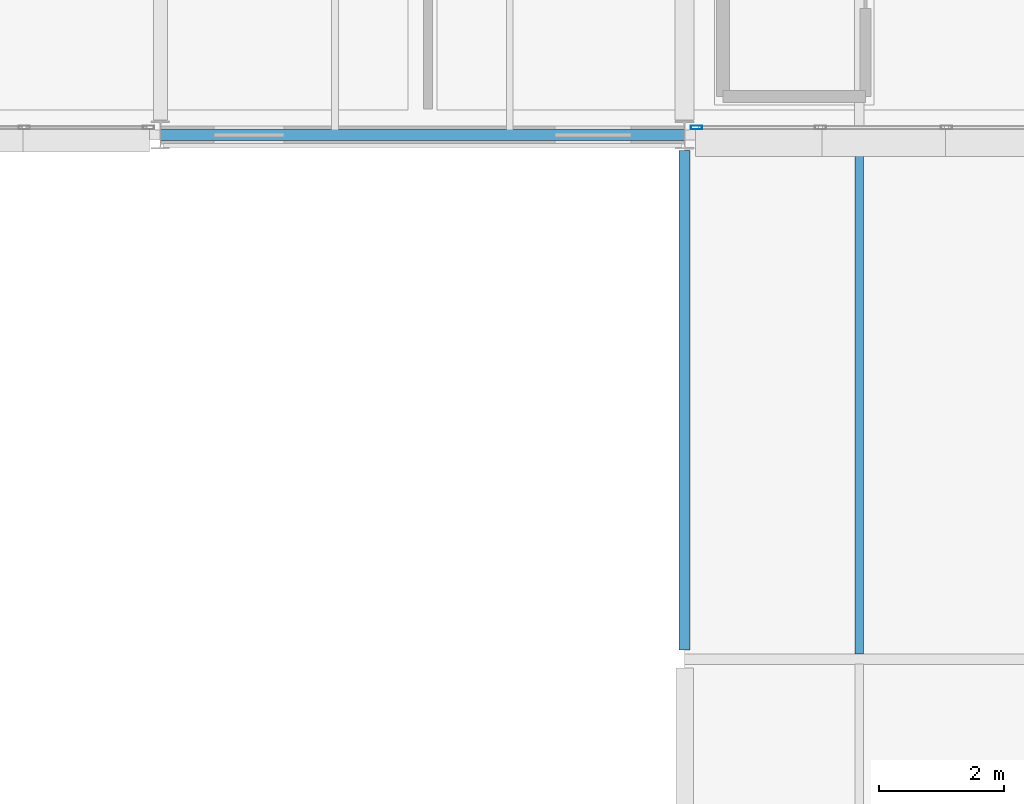
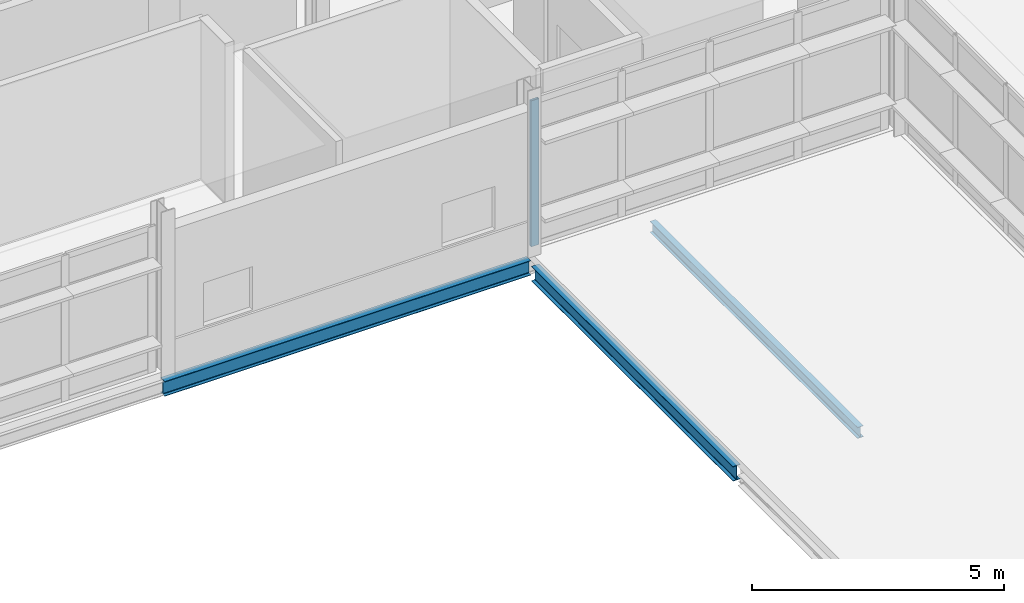
# One storey, part 67 of 103: 3 beams, 1 member, 1 element without a shape of its own.
"""IFC4 building model written with IfcOpenShell, lengths in metres."""

import ifcopenshell
import ifcopenshell.guid

model = None  # the IFC model being written
_history = None  # IfcOwnerHistory: only IFC2X3 demands one
_inside = {}  # id of a spatial element -> (the spatial element, [elements in it])
_under = {}  # id of a project, library or spatial element -> (it, [spatial elements below it])
_declared = {}  # id of a project -> (the project, [libraries it declares])
_typed = {}  # id of a type object -> (the type object, [elements of that type])
_made_of = {}  # id of a material, layer set ... -> (it, [elements and type objects made of it])


def new_model(schema):
    """Start an empty IFC model of exactly this schema.

    Asked for "IFC4X3", IfcOpenShell would pick the latest addendum, in which some entities
    have other attributes; the version numbers below select the first issue.
    IFC2X3 requires an IfcOwnerHistory on every rooted entity: one is made here for all.
    """
    global model, _history
    if schema == "IFC4X3":
        model = ifcopenshell.file(schema_version=(4, 3, 0, 0))
    else:
        model = ifcopenshell.file(schema=schema)
    _inside.clear()
    _under.clear()
    _declared.clear()
    _typed.clear()
    _made_of.clear()
    _history = None
    if model.schema == "IFC2X3":
        org = make("IfcOrganization", Name="unknown")
        user = make(
            "IfcPersonAndOrganization",
            ThePerson=make("IfcPerson", FamilyName="unknown"),
            TheOrganization=org,
        )
        app = make(
            "IfcApplication",
            ApplicationDeveloper=org,
            Version="unknown",
            ApplicationFullName="unknown",
            ApplicationIdentifier="unknown",
        )
        _history = make(
            "IfcOwnerHistory",
            OwningUser=user,
            OwningApplication=app,
            ChangeAction="ADDED",
            CreationDate=0,
        )
    return model


def make(cls, **values):
    """One entity of the class cls with the attributes given. An attribute that is None is left unset."""
    return model.create_entity(
        cls, **{name: value for name, value in values.items() if value is not None}
    )


def rooted(cls, **values):
    """An entity with a GlobalId (a new one), such as an element, a storey or a relation."""
    return make(cls, GlobalId=ifcopenshell.guid.new(), OwnerHistory=_history, **values)


def si_unit(unit_type, name, prefix=None):
    """IfcSIUnit, for example si_unit("LENGTHUNIT", "METRE", prefix="MILLI")."""
    return make("IfcSIUnit", UnitType=unit_type, Prefix=prefix, Name=name)


def assignment(units):
    """IfcUnitAssignment: the units of a project."""
    return None if units is None else make("IfcUnitAssignment", Units=units)


def point(xyz):
    """IfcCartesianPoint."""
    return None if xyz is None else make("IfcCartesianPoint", Coordinates=xyz)


def direction(xyz):
    """IfcDirection."""
    return None if xyz is None else make("IfcDirection", DirectionRatios=xyz)


def frame(location, z_axis=None, x_axis=None):
    """IfcAxis2Placement3D, a coordinate frame: its origin and axes. An axis left out is left unset."""
    return make(
        "IfcAxis2Placement3D",
        Location=point(location),
        Axis=direction(z_axis),
        RefDirection=direction(x_axis),
    )


def frame_2d(location, x_axis=None):
    """IfcAxis2Placement2D, a coordinate frame in the plane: its origin and x axis."""
    return make(
        "IfcAxis2Placement2D", Location=point(location), RefDirection=direction(x_axis)
    )


def origin():
    """The frame at (0, 0, 0) with its axes left unset."""
    return frame((0.0, 0.0, 0.0))


def origin_2d():
    """The frame at (0, 0) in the plane with its x axis left unset."""
    return frame_2d((0.0, 0.0))


def place(relative_to, where):
    """IfcLocalPlacement: puts the frame where relative to a parent placement (None: the world)."""
    return make(
        "IfcLocalPlacement", PlacementRelTo=relative_to, RelativePlacement=where
    )


def context(
    kind, dimensions, precision=None, world=None, true_north=None, identifier=None
):
    """IfcGeometricRepresentationContext, for example the 3D "Model" context."""
    return make(
        "IfcGeometricRepresentationContext",
        ContextIdentifier=identifier,
        ContextType=kind,
        CoordinateSpaceDimension=dimensions,
        Precision=precision,
        WorldCoordinateSystem=world,
        TrueNorth=true_north,
    )


def subcontext(parent, identifier, kind, view, scale=None):
    """IfcGeometricRepresentationSubContext, for example "Body" below "Model"."""
    return make(
        "IfcGeometricRepresentationSubContext",
        ContextIdentifier=identifier,
        ContextType=kind,
        ParentContext=parent,
        TargetScale=scale,
        TargetView=view,
    )


def project(units=None, contexts=None):
    """IfcProject with its units and contexts."""
    return rooted(
        "IfcProject",
        Name="project",
        RepresentationContexts=contexts,
        UnitsInContext=assignment(units),
    )


def spatial(cls, under=None, at=None, **own):
    """A site, building, storey or space (cls), placed at a placement, below another one or the project."""
    s = rooted(cls, ObjectPlacement=at, **own)
    if under is not None:
        _under.setdefault(under.id(), (under, []))[1].append(s)
    return s


def profile(cls, at=None, kind="AREA", **sizes):
    """A parametric profile (cls). Its sizes go by their IFC names, for example OverallWidth=200.0."""
    return make(cls, ProfileType=kind, Position=at, **sizes)


def hollow_rectangle(**sizes):
    """IfcRectangleHollowProfileDef."""
    return profile("IfcRectangleHollowProfileDef", **sizes)


def i_section(**sizes):
    """IfcIShapeProfileDef."""
    return profile("IfcIShapeProfileDef", **sizes)


def extrude(swept, where, along, depth):
    """IfcExtrudedAreaSolid: the profile swept, set in the frame where, extruded along a direction by depth."""
    return make(
        "IfcExtrudedAreaSolid",
        SweptArea=swept,
        Position=where,
        ExtrudedDirection=direction(along),
        Depth=depth,
    )


def shape(context_of_items, identifier, shape_type, items):
    """IfcShapeRepresentation: the items that make up one representation, for example the "Body"."""
    return make(
        "IfcShapeRepresentation",
        ContextOfItems=context_of_items,
        RepresentationIdentifier=identifier,
        RepresentationType=shape_type,
        Items=items,
    )


def material(Name=None, Category=None):
    """IfcMaterial."""
    return make("IfcMaterial", Name=Name, Category=Category)


def material_profile(
    of_material, cross_section, Name=None, Category=None, Priority=None
):
    """IfcMaterialProfile: a cross section and its material."""
    return make(
        "IfcMaterialProfile",
        Name=Name,
        Material=of_material,
        Profile=cross_section,
        Priority=Priority,
        Category=Category,
    )


def profile_set(profiles, Name=None, composite=None):
    """IfcMaterialProfileSet."""
    return make(
        "IfcMaterialProfileSet",
        Name=Name,
        MaterialProfiles=profiles,
        CompositeProfile=composite,
    )


def made_of(thing, what):
    """Note that an element or type object is made of a material, layer set ...; save() writes the relation."""
    if what is not None:
        _made_of.setdefault(what.id(), (what, []))[1].append(thing)
    return thing


def type_object(cls, material=None, **own):
    """A type object (cls), such as IfcWallType, which elements share."""
    return made_of(rooted(cls, **own), material)


def element(
    cls,
    number,
    at=None,
    inside=None,
    cuts=None,
    type_object=None,
    material=None,
    context=None,
    identifier="Body",
    shape_type=None,
    held_by="IfcProductDefinitionShape",
    body=None,
    shapes=None,
    **own,
):
    """One element of the class cls, such as IfcWall. Its Tag is "e" and its number.

    at: its placement. inside: the storey or other place that contains it. cuts: it is an
    opening in that element (IfcRelVoidsElement). A single representation is given by context,
    identifier, shape_type and body (its items); several are given by shapes. held_by: the class
    of the entity that holds the representations. save() writes the other relations.
    """
    e = rooted(cls, Tag="e%d" % number, ObjectPlacement=at, **own)
    if body is not None:
        shapes = [shape(context, identifier, shape_type, body)]
    if shapes is not None:
        e.Representation = make(held_by, Representations=shapes)
    if inside is not None:
        _inside.setdefault(inside.id(), (inside, []))[1].append(e)
    if cuts is not None:
        rooted(
            "IfcRelVoidsElement", RelatingBuildingElement=cuts, RelatedOpeningElement=e
        )
    if type_object is not None:
        _typed.setdefault(type_object.id(), (type_object, []))[1].append(e)
    return made_of(e, material)


def aggregate(whole, parts):
    """IfcRelAggregates: a whole, such as a stair, and the parts it consists of."""
    return rooted("IfcRelAggregates", RelatingObject=whole, RelatedObjects=parts)


def save(model, path):
    """Write the relations noted so far, then the file.

    IfcRelAggregates (storeys below a building ...), IfcRelContainedInSpatialStructure (elements
    in a storey), IfcRelDefinesByType, IfcRelAssociatesMaterial and IfcRelDeclares: one each for
    every whole, place, type object, material and project.
    """
    for whole, parts in _under.values():
        aggregate(whole, parts)
    for where, things in _inside.values():
        rooted(
            "IfcRelContainedInSpatialStructure",
            RelatedElements=things,
            RelatingStructure=where,
        )
    for kind, things in _typed.values():
        rooted("IfcRelDefinesByType", RelatedObjects=things, RelatingType=kind)
    for what, things in _made_of.values():
        rooted("IfcRelAssociatesMaterial", RelatedObjects=things, RelatingMaterial=what)
    for by, libraries in _declared.values():
        rooted("IfcRelDeclares", RelatingContext=by, RelatedDefinitions=libraries)
    model.write(path)


model = new_model("IFC4")

# Units and contexts
model_context = context("Model", 3, precision=1e-05, world=origin(), true_north=direction((0.0, 1.0)))
body_context = subcontext(model_context, "Body", "Model", "MODEL_VIEW")
ifc_project = project(units=[si_unit("LENGTHUNIT", "METRE"), si_unit("AREAUNIT", "SQUARE_METRE"), si_unit("VOLUMEUNIT", "CUBIC_METRE"), si_unit("PLANEANGLEUNIT", "RADIAN"), si_unit("MASSUNIT", "GRAM", prefix="KILO")], contexts=[model_context])

# Site, building, storey
site_placement = place(None, origin())
site = spatial("IfcSite", under=ifc_project, at=site_placement, CompositionType="ELEMENT")
building_placement = place(site_placement, origin())
building = spatial("IfcBuilding", under=site, at=building_placement, Name="Mersafa Astral City Hall", CompositionType="ELEMENT")
storey_placement = place(building_placement, frame((0.0, 0.0, 18.0)))
storey = spatial("IfcBuildingStorey", under=building, at=storey_placement, Name="L04", CompositionType="ELEMENT", Elevation=18.0)

# Curtain wall, member
ifc_material_1 = material(Name="Anodised bronze aluminium framing", Category="aluminium")
curtain_wall_type = type_object("IfcCurtainWallType", Name="ENV-CW-1", PredefinedType="USERDEFINED", material=ifc_material_1)
curtain_wall_placement = place(storey_placement, origin())
curtain_wall = element("IfcCurtainWall", 1, at=curtain_wall_placement, inside=storey, type_object=curtain_wall_type, Name="L04 Unitised solar curtain wall 222", ObjectType="UNITISED CURTAIN WALL", PredefinedType="USERDEFINED")
ifc_material_profile_1 = material_profile(ifc_material_1, hollow_rectangle(XDim=0.06005859375, YDim=0.179931640625, WallThickness=0.00390625, at=origin_2d()), Name="RHS 60x180x4")
ifc_profile_set_1 = profile_set([ifc_material_profile_1], Name="Anodised bronze aluminium framing")
member_type = type_object("IfcMemberType", Name="ENV-CW-MUL-1", PredefinedType="MULLION", material=ifc_profile_set_1)
member_placement = place(storey_placement, frame((159.7919921875, 100.919921875, -0.001953125), z_axis=(0.0, 0.0, 1.0), x_axis=(0.0, 1.0, 0.0)))
member = element("IfcMember", 2, at=member_placement, type_object=member_type, Name="CW-1 mullion 1", PredefinedType="MULLION", context=body_context, shape_type="SweptSolid", body=[
    extrude(hollow_rectangle(XDim=0.06005859375, YDim=0.179931640625, WallThickness=0.00390625, at=origin_2d()), origin(), (0.0, 0.0, 1.0), 3.5390625),
])
aggregate(curtain_wall, [member])

# Beams
ifc_material_2 = material(Name="Steel S355", Category="steel")
ifc_material_profile_2 = material_profile(ifc_material_2, i_section(OverallWidth=0.135009765625, OverallDepth=0.27001953125, WebThickness=0.006591796875, FlangeThickness=0.01025390625, FilletRadius=0.014892578125, at=origin_2d()), Name="IPE 270")
ifc_profile_set_2 = profile_set([ifc_material_profile_2], Name="Steel S355")
beam_type_1 = type_object("IfcBeamType", Name="STR-BM-JOIST-IPE270", PredefinedType="JOIST", material=ifc_profile_set_2)
beam_1_placement = place(storey_placement, frame((162.39990234375, 92.47998046875, -0.3349609375), z_axis=(0.0, 1.0, 0.0), x_axis=(-1.0, 0.0, 0.0)))
element("IfcBeam", 3, at=beam_1_placement, inside=storey, type_object=beam_type_1, Name="L04 Flat roof secondary joist 17", PredefinedType="JOIST", context=body_context, shape_type="SweptSolid", body=[
    extrude(i_section(OverallWidth=0.135009765625, OverallDepth=0.27001953125, WebThickness=0.006591796875, FlangeThickness=0.01025390625, FilletRadius=0.014892578125, at=origin_2d()), origin(), (0.0, 0.0, 1.0), 8.2451171875),
])
ifc_material_profile_3 = material_profile(ifc_material_2, i_section(OverallWidth=0.169921875, OverallDepth=0.360107421875, WebThickness=0.008056640625, FlangeThickness=0.0126953125, FilletRadius=0.01806640625, at=origin_2d()), Name="IPE 360")
ifc_profile_set_3 = profile_set([ifc_material_profile_3], Name="Steel S355")
beam_type_2 = type_object("IfcBeamType", Name="STR-BM-SPANDREL-IPE360", PredefinedType="SPANDREL", material=ifc_profile_set_3)
beam_2_placement = place(storey_placement, frame((151.202880859375, 100.800048828125, -0.364990234375), z_axis=(1.0, 0.0, 0.0), x_axis=(0.0, 1.0, 0.0)))
element("IfcBeam", 4, at=beam_2_placement, inside=storey, type_object=beam_type_2, Name="L04 Primary girder X 18-12", PredefinedType="SPANDREL", context=body_context, shape_type="SweptSolid", body=[
    extrude(i_section(OverallWidth=0.169921875, OverallDepth=0.360107421875, WebThickness=0.008056640625, FlangeThickness=0.0126953125, FilletRadius=0.01806640625, at=origin_2d()), origin(), (0.0, 0.0, 1.0), 8.39404296875),
])
beam_3_placement = place(storey_placement, frame((159.60009765625, 92.544921875, -0.3798828125), z_axis=(0.0, 1.0, 0.0), x_axis=(-1.0, 0.0, 0.0)))
element("IfcBeam", 5, at=beam_3_placement, inside=storey, type_object=beam_type_2, Name="L04 Primary girder Y 19-11", PredefinedType="SPANDREL", context=body_context, shape_type="SweptSolid", body=[
    extrude(i_section(OverallWidth=0.169921875, OverallDepth=0.360107421875, WebThickness=0.008056640625, FlangeThickness=0.0126953125, FilletRadius=0.01806640625, at=origin_2d()), origin(), (0.0, 0.0, 1.0), 8.010009765625),
])

save(model, "model.ifc")
